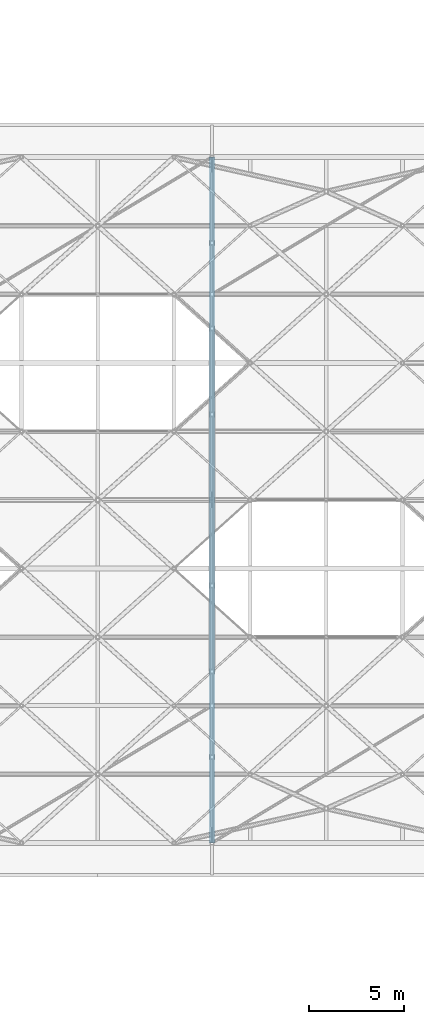
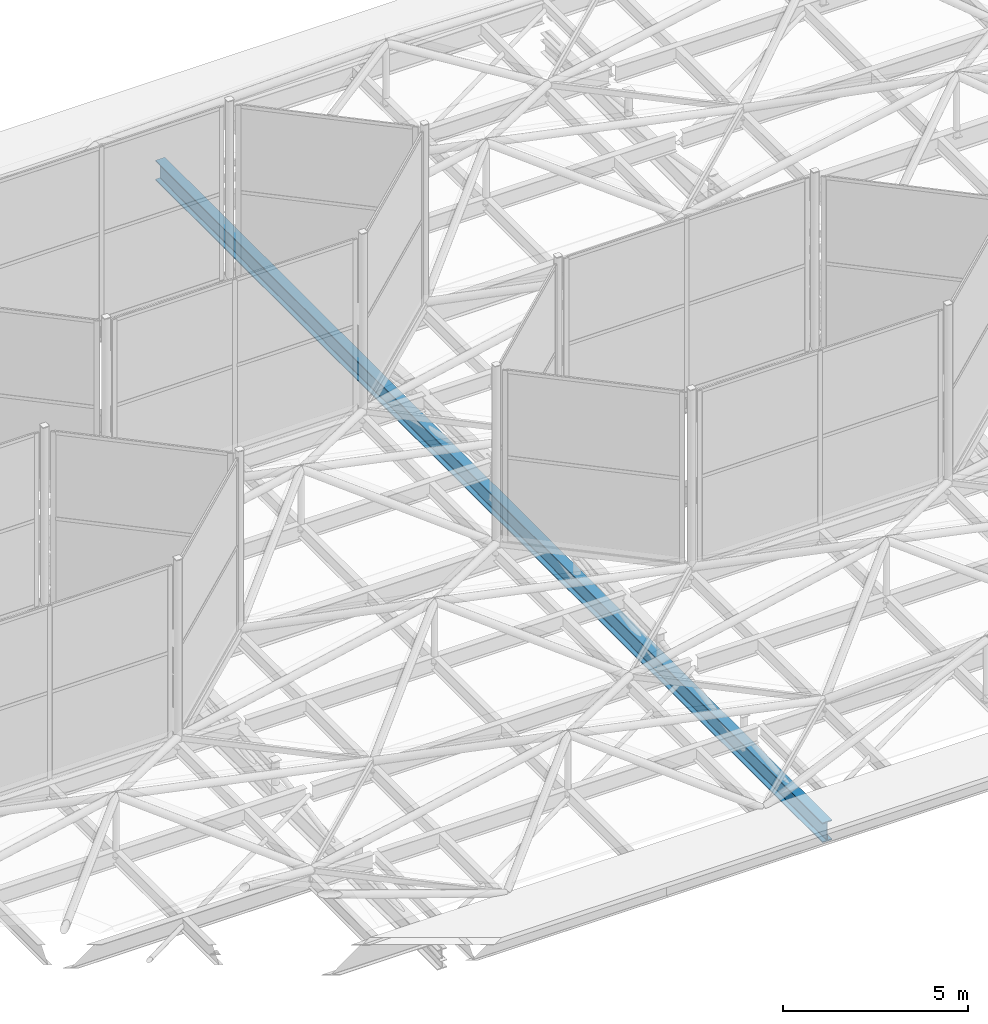
# One storey, part 117 of 239: 1 beam.
"""IFC4 building model written with IfcOpenShell, lengths in metres."""

from ifc_helpers import new_model, si_unit, direction, frame, origin, origin_2d, place, context, subcontext, project, spatial, i_section, extrude, material, material_profile, profile_set, type_object, element, save


model = new_model("IFC4")

# Units and contexts
model_context = context("Model", 3, precision=1e-05, world=origin(), true_north=direction((0.0, 1.0)))
body_context = subcontext(model_context, "Body", "Model", "MODEL_VIEW")
ifc_project = project(units=[si_unit("LENGTHUNIT", "METRE"), si_unit("AREAUNIT", "SQUARE_METRE"), si_unit("VOLUMEUNIT", "CUBIC_METRE"), si_unit("PLANEANGLEUNIT", "RADIAN"), si_unit("MASSUNIT", "GRAM", prefix="KILO")], contexts=[model_context])

# Site, building, storey
site_placement = place(None, origin())
site = spatial("IfcSite", under=ifc_project, at=site_placement, CompositionType="ELEMENT")
building_placement = place(site_placement, origin())
building = spatial("IfcBuilding", under=site, at=building_placement, Name="Dunvalen Ferry Terminal", CompositionType="ELEMENT")
storey_placement = place(building_placement, frame((0.0, 0.0, 9.840087890625)))
storey = spatial("IfcBuildingStorey", under=building, at=storey_placement, Name="L02", CompositionType="ELEMENT", Elevation=9.840087890625)

# Beam
ifc_material = material(Name="Steel S355", Category="steel")
ifc_material_profile = material_profile(ifc_material, i_section(OverallWidth=0.300048828125, OverallDepth=0.64990234375, WebThickness=0.01611328125, FlangeThickness=0.031005859375, FilletRadius=0.027099609375, at=origin_2d()), Name="Steel S355")
ifc_profile_set = profile_set([ifc_material_profile], Name="Steel S355")
beam_type = type_object("IfcBeamType", Name="STR-BM-HEB650", PredefinedType="BEAM", material=ifc_profile_set)
beam_placement = place(storey_placement, frame((72.0, 50.39990234375, -0.360107421875), z_axis=(0.0, 1.0, 0.0), x_axis=(-1.0, 0.0, 0.0)))
element("IfcBeam", 1, at=beam_placement, inside=storey, type_object=beam_type, Name="Departure Hall Tied-Arch Tie Girder 06", PredefinedType="BEAM", context=body_context, shape_type="SweptSolid", body=[
    extrude(i_section(OverallWidth=0.300048828125, OverallDepth=0.64990234375, WebThickness=0.01611328125, FlangeThickness=0.031005859375, FilletRadius=0.027099609375, at=origin_2d()), origin(), (0.0, 0.0, 1.0), 36.0),
])

save(model, "model.ifc")
